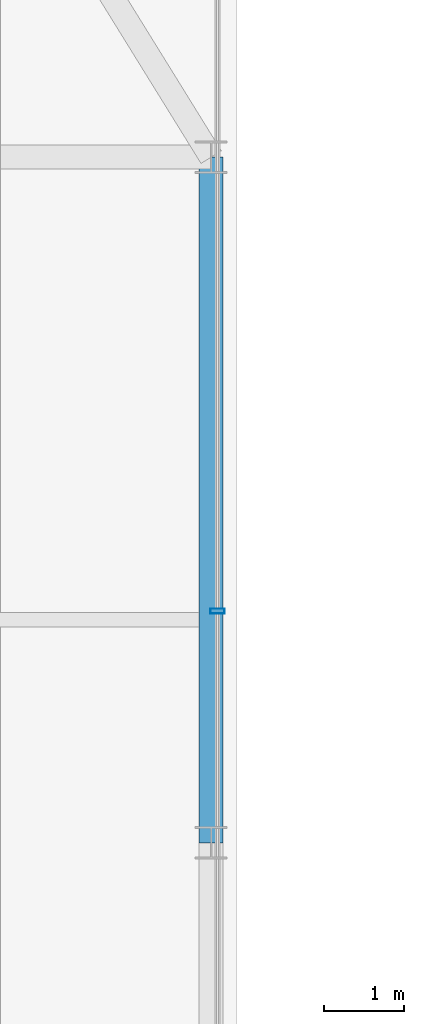
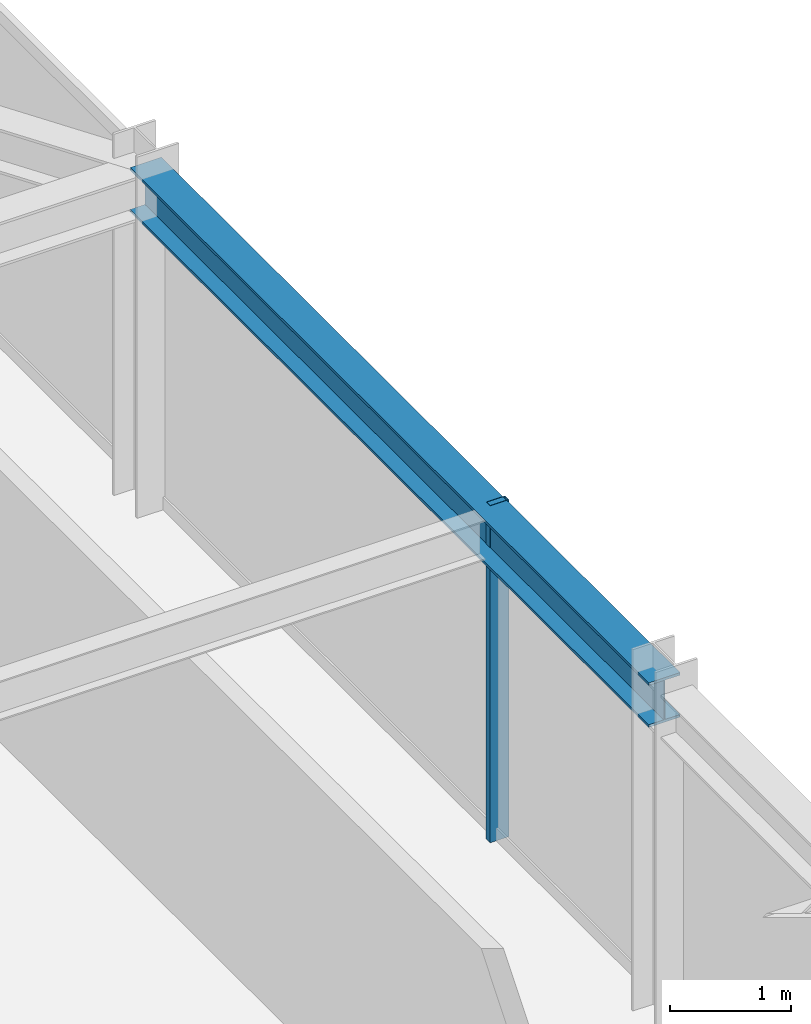
# One storey, part 25 of 42: 1 beam, 1 member, 1 element without a shape of its own.
"""IFC4 building model written with IfcOpenShell, lengths in metres."""

from ifc_helpers import new_model, si_unit, direction, frame, origin, origin_2d, place, context, subcontext, project, spatial, hollow_rectangle, i_section, extrude, source, transform, mapped, material, material_profile, profile_set, type_object, element, aggregate, save


model = new_model("IFC4")

# Units and contexts
model_context = context("Model", 3, precision=1e-05, world=origin(), true_north=direction((0.0, 1.0)))
body_context = subcontext(model_context, "Body", "Model", "MODEL_VIEW")
ifc_project = project(units=[si_unit("LENGTHUNIT", "METRE"), si_unit("AREAUNIT", "SQUARE_METRE"), si_unit("VOLUMEUNIT", "CUBIC_METRE"), si_unit("PLANEANGLEUNIT", "RADIAN"), si_unit("MASSUNIT", "GRAM", prefix="KILO")], contexts=[model_context])

# Site, building, storey
site_placement = place(None, origin())
site = spatial("IfcSite", under=ifc_project, at=site_placement, CompositionType="ELEMENT")
building_placement = place(site_placement, origin())
building = spatial("IfcBuilding", under=site, at=building_placement, Name="Nahalor Promenade Grand Hotel", CompositionType="ELEMENT")
storey_placement = place(building_placement, frame((0.0, 0.0, 249.300048828125)))
storey = spatial("IfcBuildingStorey", under=building, at=storey_placement, Name="L64", CompositionType="ELEMENT", Elevation=249.300048828125)

# Beam
ifc_material_1 = material(Name="Steel S355JR", Category="steel")
ifc_material_profile_1 = material_profile(ifc_material_1, i_section(OverallWidth=0.3, OverallDepth=0.45, WebThickness=0.014, FlangeThickness=0.026, at=origin_2d()), Name="HEB 450")
ifc_profile_set_1 = profile_set([ifc_material_profile_1], Name="Steel S355JR")
beam_type = type_object("IfcBeamType", Name="Beam-Spandrel-HEB450", PredefinedType="SPANDREL", material=ifc_profile_set_1)
shared_shape_1 = source(origin(), body_context, "Body", "SweptSolid", [
    extrude(i_section(OverallWidth=0.3, OverallDepth=0.45, WebThickness=0.014, FlangeThickness=0.026, at=origin_2d()), origin(), (0.0, 0.0, 1.0), 8.60009765625),
])
beam_placement = place(storey_placement, frame((23.8798828125, 8.39990234375, 3.18505859375), z_axis=(0.0, 1.0, 0.0), x_axis=(-1.0, 0.0, 0.0)))
element("IfcBeam", 1, at=beam_placement, inside=storey, type_object=beam_type, Name="BM-L64-SP-E-4", PredefinedType="SPANDREL", context=body_context, shape_type="MappedRepresentation", body=[
    mapped(shared_shape_1, transform((0.0, 0.0, 0.0), scale=1.0)),
])

# Curtain wall, member
ifc_material_2 = material(Name="Anodised Bronze Aluminium EN AW-6063 T6", Category="aluminium")
curtain_wall_type = type_object("IfcCurtainWallType", Name="CW2 Typical Hotel Flush Bronze Unitised Curtain Wall", PredefinedType="USERDEFINED", material=ifc_material_2)
curtain_wall_placement = place(storey_placement, origin())
curtain_wall = element("IfcCurtainWall", 2, at=curtain_wall_placement, inside=storey, type_object=curtain_wall_type, Name="L64 Curtain Wall CW-L64-E-3", ObjectType="UNITISED_CURTAIN_WALL", PredefinedType="USERDEFINED")
ifc_material_profile_2 = material_profile(ifc_material_2, hollow_rectangle(XDim=0.065, YDim=0.18, WallThickness=0.004, at=origin_2d()), Name="CWM 65x180x4")
ifc_profile_set_2 = profile_set([ifc_material_profile_2], Name="Anodised Bronze Aluminium EN AW-6063 T6")
member_type = type_object("IfcMemberType", Name="CWM2 Typical Bronze Mullion 65x180", PredefinedType="MULLION", material=ifc_profile_set_2)
shared_shape_2 = source(origin(), body_context, "Body", "SweptSolid", [
    extrude(hollow_rectangle(XDim=0.065, YDim=0.18, WallThickness=0.004, at=origin_2d()), origin(), (0.0, 0.0, 1.0), 3.409912109375),
])
member_placement = place(storey_placement, frame((23.9599609375, 11.306640625, 0.0), z_axis=(0.0, 0.0, 1.0), x_axis=(0.0, 1.0, 0.0)))
member = element("IfcMember", 3, at=member_placement, type_object=member_type, Name="CW-L64-E-3 Mullion 2", PredefinedType="MULLION", context=body_context, shape_type="MappedRepresentation", body=[
    mapped(shared_shape_2, transform((0.0, 0.0, 0.0), scale=1.0)),
])
aggregate(curtain_wall, [member])

save(model, "model.ifc")
